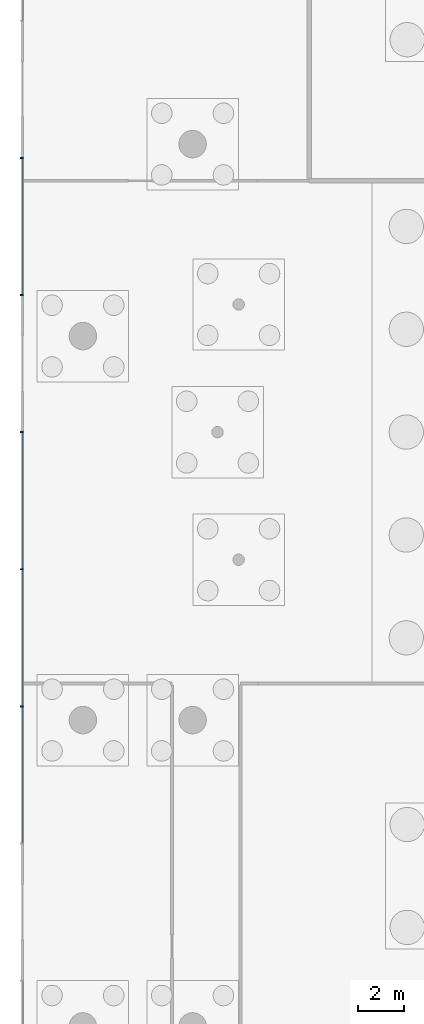
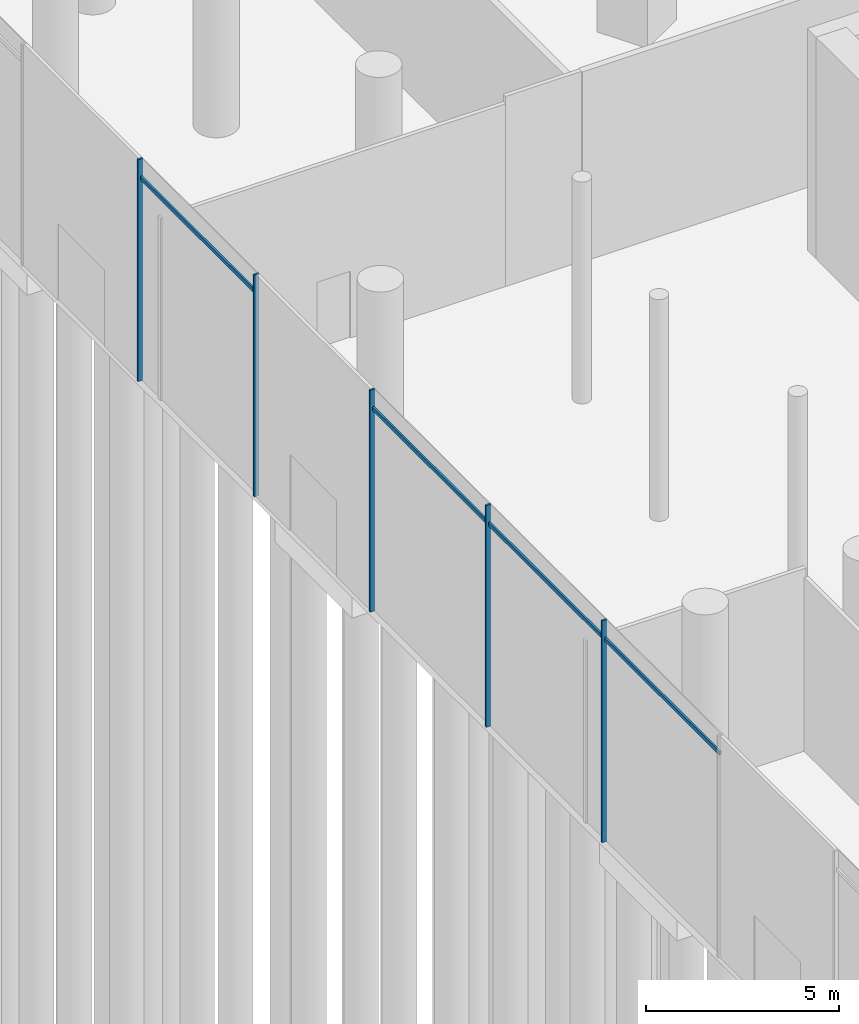
# One storey, part 8 of 41: 9 members, 1 element without a shape of its own.
"""IFC4 building model written with IfcOpenShell, lengths in metres."""

from ifc_helpers import new_model, si_unit, direction, frame, origin, origin_2d, place, context, subcontext, project, spatial, rectangle, extrude, material, material_profile, profile_set, type_object, element, aggregate, save


model = new_model("IFC4")

# Units and contexts
model_context = context("Model", 3, precision=1e-05, world=origin(), true_north=direction((0.0, 1.0)))
body_context = subcontext(model_context, "Body", "Model", "MODEL_VIEW")
ifc_project = project(units=[si_unit("LENGTHUNIT", "METRE"), si_unit("AREAUNIT", "SQUARE_METRE"), si_unit("VOLUMEUNIT", "CUBIC_METRE"), si_unit("PLANEANGLEUNIT", "RADIAN"), si_unit("MASSUNIT", "GRAM", prefix="KILO")], contexts=[model_context])

# Site, building, storey
site_placement = place(None, origin())
site = spatial("IfcSite", under=ifc_project, at=site_placement, CompositionType="ELEMENT")
building_placement = place(site_placement, origin())
building = spatial("IfcBuilding", under=site, at=building_placement, Name="Rimbun Link Towers", CompositionType="ELEMENT")
storey_placement = place(building_placement, origin())
storey = spatial("IfcBuildingStorey", under=building, at=storey_placement, Name="L00", CompositionType="ELEMENT", Elevation=0.0)

# Curtain wall, members
ifc_material_1 = material(Name="Aluminium 6063-T6 and low-iron glass", Category="aluminium")
curtain_wall_type = type_object("IfcCurtainWallType", Name="CW3 podium shopfront", PredefinedType="NOTDEFINED", material=ifc_material_1)
curtain_wall_placement = place(storey_placement, origin())
curtain_wall = element("IfcCurtainWall", 1, at=curtain_wall_placement, inside=storey, type_object=curtain_wall_type, Name="CW3 L00 PD", PredefinedType="NOTDEFINED")
ifc_material_2 = material(Name="Aluminium 6063-T6", Category="aluminium")
ifc_material_profile_1 = material_profile(ifc_material_2, rectangle(XDim=0.14990234375, YDim=0.06005859375, at=origin_2d()), Name="MULLION 60X150")
ifc_profile_set_1 = profile_set([ifc_material_profile_1], Name="Aluminium 6063-T6")
member_type_1 = type_object("IfcMemberType", Name="CW3 mullion 60X150", PredefinedType="MULLION", material=ifc_profile_set_1)
member_1_placement = place(storey_placement, frame((-62.074951171875, 12.0, 0.0), z_axis=(0.0, 0.0, 1.0), x_axis=(-1.0, 0.0, 0.0)))
member_1 = element("IfcMember", 2, at=member_1_placement, type_object=member_type_1, Name="CW3 mullion", PredefinedType="MULLION", context=body_context, shape_type="SweptSolid", body=[
    extrude(rectangle(XDim=0.14990234375, YDim=0.06005859375, at=origin_2d()), origin(), (0.0, 0.0, 1.0), 7.0),
])
member_2_placement = place(storey_placement, frame((-62.074951171875, 6.0, 0.0), z_axis=(0.0, 0.0, 1.0), x_axis=(-1.0, 0.0, 0.0)))
member_2 = element("IfcMember", 3, at=member_2_placement, type_object=member_type_1, Name="CW3 mullion", PredefinedType="MULLION", context=body_context, shape_type="SweptSolid", body=[
    extrude(rectangle(XDim=0.14990234375, YDim=0.06005859375, at=origin_2d()), origin(), (0.0, 0.0, 1.0), 7.0),
])
member_3_placement = place(storey_placement, frame((-62.074951171875, 0.0, 0.0), z_axis=(0.0, 0.0, 1.0), x_axis=(-1.0, 0.0, 0.0)))
member_3 = element("IfcMember", 4, at=member_3_placement, type_object=member_type_1, Name="CW3 mullion", PredefinedType="MULLION", context=body_context, shape_type="SweptSolid", body=[
    extrude(rectangle(XDim=0.14990234375, YDim=0.06005859375, at=origin_2d()), origin(), (0.0, 0.0, 1.0), 7.0),
])
member_4_placement = place(storey_placement, frame((-62.074951171875, -6.0, 0.0), z_axis=(0.0, 0.0, 1.0), x_axis=(-1.0, 0.0, 0.0)))
member_4 = element("IfcMember", 5, at=member_4_placement, type_object=member_type_1, Name="CW3 mullion", PredefinedType="MULLION", context=body_context, shape_type="SweptSolid", body=[
    extrude(rectangle(XDim=0.14990234375, YDim=0.06005859375, at=origin_2d()), origin(), (0.0, 0.0, 1.0), 7.0),
])
member_5_placement = place(storey_placement, frame((-62.074951171875, -12.0, 0.0), z_axis=(0.0, 0.0, 1.0), x_axis=(-1.0, 0.0, 0.0)))
member_5 = element("IfcMember", 6, at=member_5_placement, type_object=member_type_1, Name="CW3 mullion", PredefinedType="MULLION", context=body_context, shape_type="SweptSolid", body=[
    extrude(rectangle(XDim=0.14990234375, YDim=0.06005859375, at=origin_2d()), origin(), (0.0, 0.0, 1.0), 7.0),
])
ifc_material_3 = material(Name="Aluminium 6063-T6", Category="aluminium")
ifc_material_profile_2 = material_profile(ifc_material_3, rectangle(XDim=0.06005859375, YDim=0.1201171875, at=origin_2d()), Name="TRANSOM 60X120")
ifc_profile_set_2 = profile_set([ifc_material_profile_2], Name="Aluminium 6063-T6")
member_type_2 = type_object("IfcMemberType", Name="CW3 transom 60X120", PredefinedType="USERDEFINED", material=ifc_profile_set_2)
member_6_placement = place(storey_placement, frame((-62.053955078125, 6.030029296875, 6.39990234375), z_axis=(0.0, 1.0, 0.0), x_axis=(-1.0, 0.0, 0.0)))
member_6 = element("IfcMember", 7, at=member_6_placement, type_object=member_type_2, Name="CW3 transom", ObjectType="TRANSOM", PredefinedType="USERDEFINED", context=body_context, shape_type="SweptSolid", body=[
    extrude(rectangle(XDim=0.06005859375, YDim=0.1201171875, at=origin_2d()), origin(), (0.0, 0.0, 1.0), 5.93994140625),
])
member_7_placement = place(storey_placement, frame((-62.053955078125, -5.969970703125, 6.39990234375), z_axis=(0.0, 1.0, 0.0), x_axis=(-1.0, 0.0, 0.0)))
member_7 = element("IfcMember", 8, at=member_7_placement, type_object=member_type_2, Name="CW3 transom", ObjectType="TRANSOM", PredefinedType="USERDEFINED", context=body_context, shape_type="SweptSolid", body=[
    extrude(rectangle(XDim=0.06005859375, YDim=0.1201171875, at=origin_2d()), origin(), (0.0, 0.0, 1.0), 5.93994140625),
])
member_8_placement = place(storey_placement, frame((-62.053955078125, -11.969970703125, 6.39990234375), z_axis=(0.0, 1.0, 0.0), x_axis=(-1.0, 0.0, 0.0)))
member_8 = element("IfcMember", 9, at=member_8_placement, type_object=member_type_2, Name="CW3 transom", ObjectType="TRANSOM", PredefinedType="USERDEFINED", context=body_context, shape_type="SweptSolid", body=[
    extrude(rectangle(XDim=0.06005859375, YDim=0.1201171875, at=origin_2d()), origin(), (0.0, 0.0, 1.0), 5.93994140625),
])
member_9_placement = place(storey_placement, frame((-62.053955078125, -17.969970703125, 6.39990234375), z_axis=(0.0, 1.0, 0.0), x_axis=(-1.0, 0.0, 0.0)))
member_9 = element("IfcMember", 10, at=member_9_placement, type_object=member_type_2, Name="CW3 transom", ObjectType="TRANSOM", PredefinedType="USERDEFINED", context=body_context, shape_type="SweptSolid", body=[
    extrude(rectangle(XDim=0.06005859375, YDim=0.1201171875, at=origin_2d()), origin(), (0.0, 0.0, 1.0), 5.93994140625),
])
aggregate(curtain_wall, [member_1, member_2, member_3, member_4, member_5, member_6, member_7, member_8, member_9])

save(model, "model.ifc")
